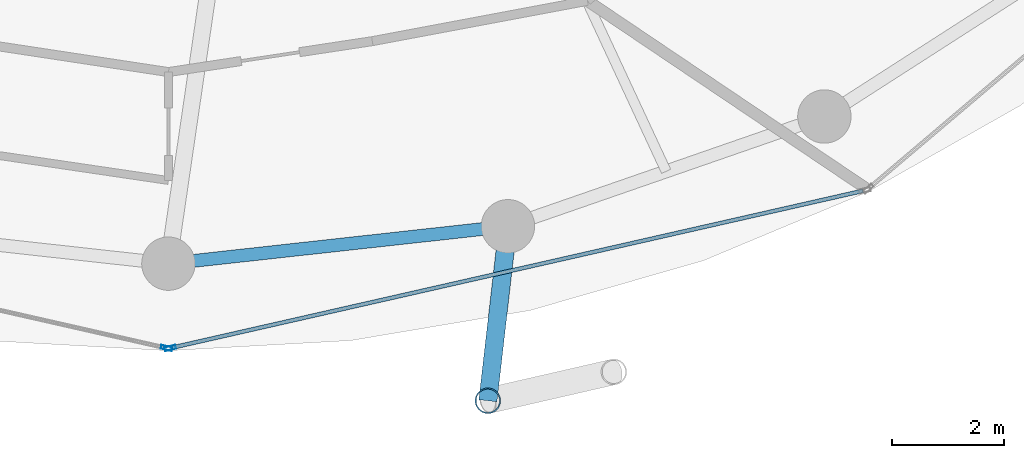
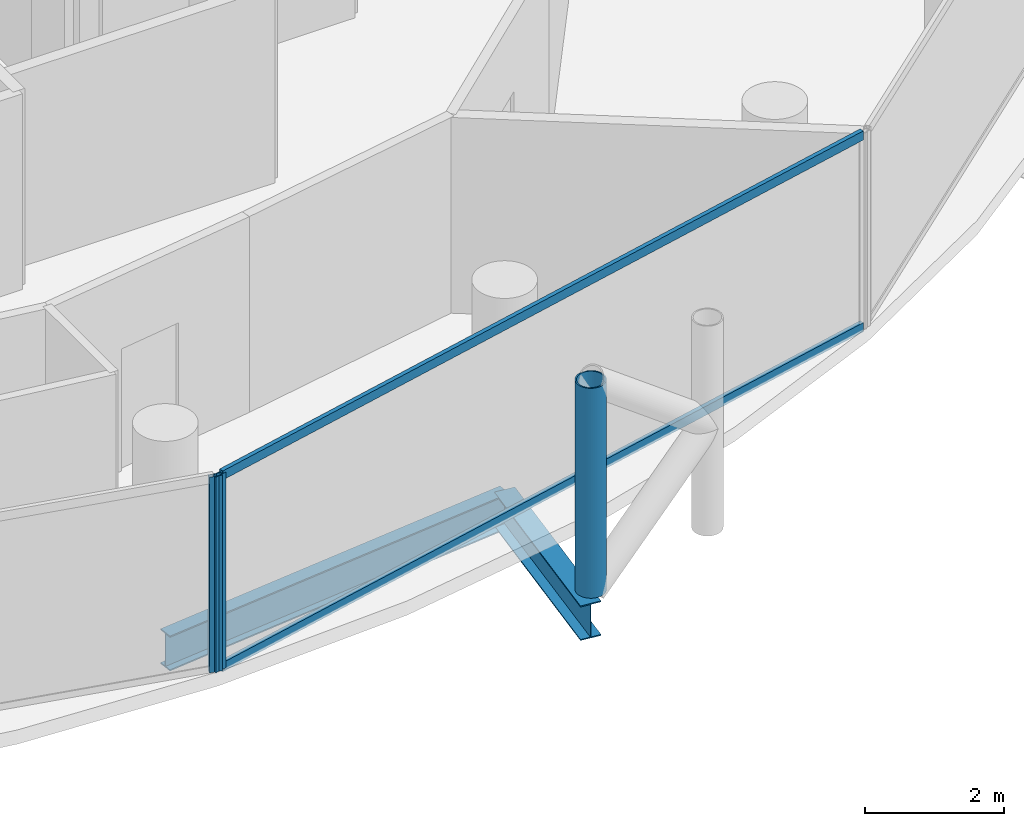
# One storey, part 4 of 26: 5 members, 2 beams, 2 elements without a shape of their own.
"""IFC4 building model written with IfcOpenShell, lengths in metres."""

from ifc_helpers import new_model, si_unit, direction, frame, origin, origin_2d, place, context, subcontext, project, spatial, hollow_rectangle, hollow_circle, i_section, extrude, material, layer, layer_set, material_profile, profile_set, type_object, element, aggregate, save


model = new_model("IFC4")

# Units and contexts
model_context = context("Model", 3, precision=1e-05, world=origin(), true_north=direction((0.0, 1.0)))
body_context = subcontext(model_context, "Body", "Model", "MODEL_VIEW")
ifc_project = project(units=[si_unit("LENGTHUNIT", "METRE"), si_unit("AREAUNIT", "SQUARE_METRE"), si_unit("VOLUMEUNIT", "CUBIC_METRE"), si_unit("PLANEANGLEUNIT", "RADIAN"), si_unit("MASSUNIT", "GRAM", prefix="KILO")], contexts=[model_context])

# Site, building, storey
site_placement = place(None, origin())
site = spatial("IfcSite", under=ifc_project, at=site_placement, CompositionType="ELEMENT")
building_placement = place(site_placement, origin())
building = spatial("IfcBuilding", under=site, at=building_placement, Name="Nuhasar Tower", CompositionType="ELEMENT")
storey_placement = place(building_placement, frame((0.0, 0.0, 166.35009765625)))
storey = spatial("IfcBuildingStorey", under=building, at=storey_placement, Name="L40", CompositionType="ELEMENT", Elevation=166.35009765625)

# Beams
ifc_material_1 = material(Name="Steel S355", Category="steel")
ifc_material_profile_1 = material_profile(ifc_material_1, i_section(OverallWidth=0.22998046875, OverallDepth=0.616943359375, WebThickness=0.01318359375, FlangeThickness=0.022216796875, at=origin_2d()), Name="W24X94")
ifc_profile_set_1 = profile_set([ifc_material_profile_1], Name="Steel S355")
beam_type_1 = type_object("IfcBeamType", Name="BM-RING-W24X94", PredefinedType="SPANDREL", material=ifc_profile_set_1)
beam_1_placement = place(storey_placement, frame((39.0, 7.25, -0.55908203125), z_axis=(0.993981289157, 0.109549974015, 0.0), x_axis=(-0.109549974015, 0.993981289157, 0.0)))
element("IfcBeam", 1, at=beam_1_placement, inside=storey, type_object=beam_type_1, Name="L40 Perimeter Ring Spandrel 19", PredefinedType="SPANDREL", context=body_context, shape_type="SweptSolid", body=[
    extrude(i_section(OverallWidth=0.22998046875, OverallDepth=0.616943359375, WebThickness=0.01318359375, FlangeThickness=0.022216796875, at=origin_2d()), origin(), (0.0, 0.0, 1.0), 6.07958984375),
])
ifc_material_profile_2 = material_profile(ifc_material_1, i_section(OverallWidth=0.323974609375, OverallDepth=0.611083984375, WebThickness=0.0126953125, FlangeThickness=0.01904296875, at=origin_2d()), Name="W24X104")
ifc_profile_set_2 = profile_set([ifc_material_profile_2], Name="Steel S355")
beam_type_2 = type_object("IfcBeamType", Name="BM-TIE-W24X104", PredefinedType="BEAM", material=ifc_profile_set_2)
beam_2_placement = place(storey_placement, frame((45.04296875, 7.916015625, -0.55615234375), z_axis=(-0.114167639647, -0.993461499031, 0.0), x_axis=(0.993461499031, -0.114167639647, 0.0)))
element("IfcBeam", 2, at=beam_2_placement, inside=storey, type_object=beam_type_2, Name="L40 Exoskeleton Node Tie Beam 10", PredefinedType="BEAM", context=body_context, shape_type="SweptSolid", body=[
    extrude(i_section(OverallWidth=0.323974609375, OverallDepth=0.611083984375, WebThickness=0.0126953125, FlangeThickness=0.01904296875, at=origin_2d()), origin(), (0.0, 0.0, 1.0), 3.12646484375),
])

# Curtain wall, member
ifc_material_2 = material(Name="Aluminium 6063-T6", Category="aluminium")
ifc_layer = layer(ifc_material_2, 0.199951171875)
ifc_layer_set = layer_set([ifc_layer], Name="Aluminium 6063-T6")
curtain_wall_type = type_object("IfcCurtainWallType", Name="CW-Z2-HTL", PredefinedType="NOTDEFINED", material=ifc_layer_set)
curtain_wall_1_placement = place(storey_placement, origin())
curtain_wall_1 = element("IfcCurtainWall", 3, at=curtain_wall_1_placement, inside=storey, type_object=curtain_wall_type, Name="L40 Unitised Curtain Wall 09", PredefinedType="NOTDEFINED")
ifc_material_profile_3 = material_profile(ifc_material_2, hollow_rectangle(XDim=0.070068359375, YDim=0.199951171875, WallThickness=0.0048828125, at=origin_2d()), Name="CWM-3")
ifc_profile_set_3 = profile_set([ifc_material_profile_3], Name="Aluminium 6063-T6")
member_type_1 = type_object("IfcMemberType", Name="CW-MUL-S3", PredefinedType="MULLION", material=ifc_profile_set_3)
member_1_placement = place(storey_placement, frame((38.9658203125, 5.747802734375, 0.0), z_axis=(0.0, 0.0, 1.0), x_axis=(0.22139729566, 0.975183694221, 0.0)))
member_1 = element("IfcMember", 4, at=member_1_placement, type_object=member_type_1, Name="CW-Z2 mullion 2", PredefinedType="MULLION", context=body_context, shape_type="SweptSolid", body=[
    extrude(hollow_rectangle(XDim=0.070068359375, YDim=0.199951171875, WallThickness=0.0048828125, at=origin_2d()), origin(), (0.0, 0.0, 1.0), 3.449951171875),
])
aggregate(curtain_wall_1, [member_1])

# Curtain wall, members
curtain_wall_2_placement = place(storey_placement, origin())
curtain_wall_2 = element("IfcCurtainWall", 5, at=curtain_wall_2_placement, inside=storey, type_object=curtain_wall_type, Name="L40 Unitised Curtain Wall 10", PredefinedType="NOTDEFINED")
member_2_placement = place(storey_placement, frame((39.0341796875, 5.747802734375, 0.0), z_axis=(0.0, 0.0, 1.0), x_axis=(-0.22139729566, 0.975183694221, 0.0)))
member_2 = element("IfcMember", 6, at=member_2_placement, type_object=member_type_1, Name="CW-Z2 mullion 1", PredefinedType="MULLION", context=body_context, shape_type="SweptSolid", body=[
    extrude(hollow_rectangle(XDim=0.070068359375, YDim=0.199951171875, WallThickness=0.0048828125, at=origin_2d()), origin(), (0.0, 0.0, 1.0), 3.449951171875),
])
ifc_material_profile_4 = material_profile(ifc_material_2, hollow_rectangle(XDim=0.070068359375, YDim=0.159912109375, WallThickness=0.00439453125, at=origin_2d()), Name="CWT-3")
ifc_profile_set_4 = profile_set([ifc_material_profile_4], Name="Aluminium 6063-T6")
member_type_2 = type_object("IfcMemberType", Name="CW-TRN-S3", PredefinedType="USERDEFINED", material=ifc_profile_set_4)
member_3_placement = place(storey_placement, frame((39.068359375, 5.755615234375, 0.034912109375), z_axis=(0.975187615691, 0.221380022142, 0.0), x_axis=(-0.221380022142, 0.975187615691, 0.0)))
member_3 = element("IfcMember", 7, at=member_3_placement, type_object=member_type_2, Name="CW-Z2 transom 1.1", ObjectType="TRANSOM", PredefinedType="USERDEFINED", context=body_context, shape_type="SweptSolid", body=[
    extrude(hollow_rectangle(XDim=0.070068359375, YDim=0.159912109375, WallThickness=0.00439453125, at=origin_2d()), origin(), (0.0, 0.0, 1.0), 12.606201171875),
])
member_4_placement = place(storey_placement, frame((39.068359375, 5.755615234375, 3.414794921875), z_axis=(0.975187615691, 0.221380022142, 0.0), x_axis=(-0.221380022142, 0.975187615691, 0.0)))
member_4 = element("IfcMember", 8, at=member_4_placement, type_object=member_type_2, Name="CW-Z2 transom 1.2", ObjectType="TRANSOM", PredefinedType="USERDEFINED", context=body_context, shape_type="SweptSolid", body=[
    extrude(hollow_rectangle(XDim=0.070068359375, YDim=0.159912109375, WallThickness=0.00439453125, at=origin_2d()), origin(), (0.0, 0.0, 1.0), 12.606201171875),
])
aggregate(curtain_wall_2, [member_2, member_3, member_4])

# Member
ifc_material_3 = material(Name="Steel S460", Category="steel")
ifc_material_profile_5 = material_profile(ifc_material_3, hollow_circle(Radius=0.228515625, WallThickness=0.022216796875, at=origin_2d()), Name="HSS457X22.2")
ifc_profile_set_5 = profile_set([ifc_material_profile_5], Name="Steel S460")
member_type_3 = type_object("IfcMemberType", Name="EXO-BRONZE-457", PredefinedType="BRACE", material=ifc_profile_set_5)
member_5_placement = place(storey_placement, frame((44.68603515625, 4.81005859375, 0.0), z_axis=(0.0, 0.0, 1.0), x_axis=(1.0, 0.0, 0.0)))
element("IfcMember", 9, at=member_5_placement, inside=storey, type_object=member_type_3, Name="L40 Exoskeleton Chord Column EC-10A", PredefinedType="BRACE", context=body_context, shape_type="SweptSolid", body=[
    extrude(hollow_circle(Radius=0.228515625, WallThickness=0.022216796875, at=origin_2d()), origin(), (0.0, 0.0, 1.0), 3.699951171875),
])

save(model, "model.ifc")
